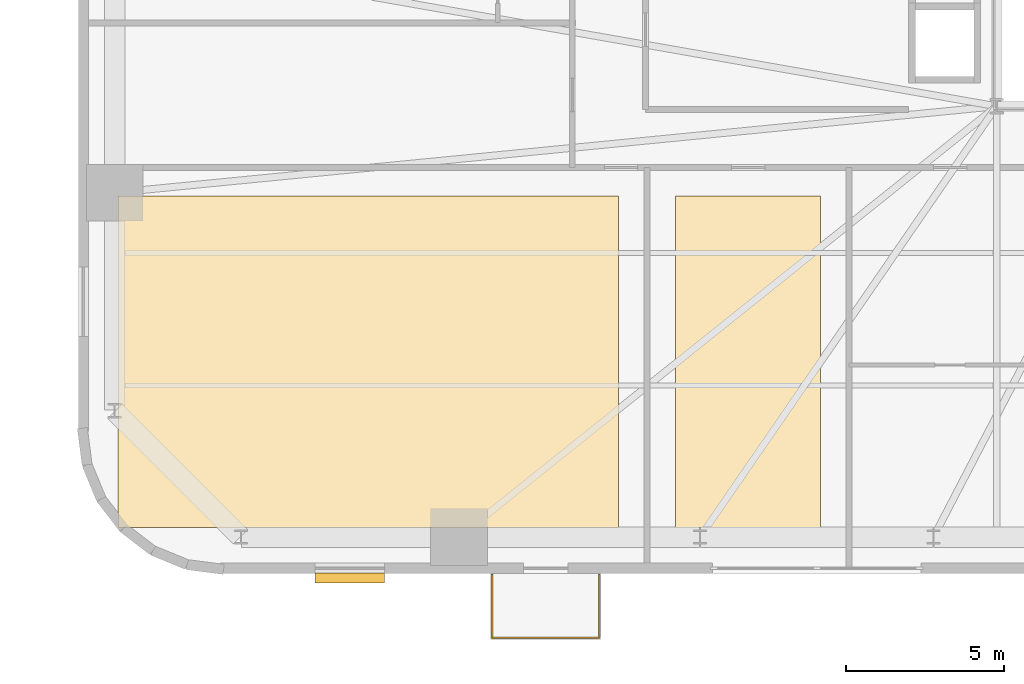
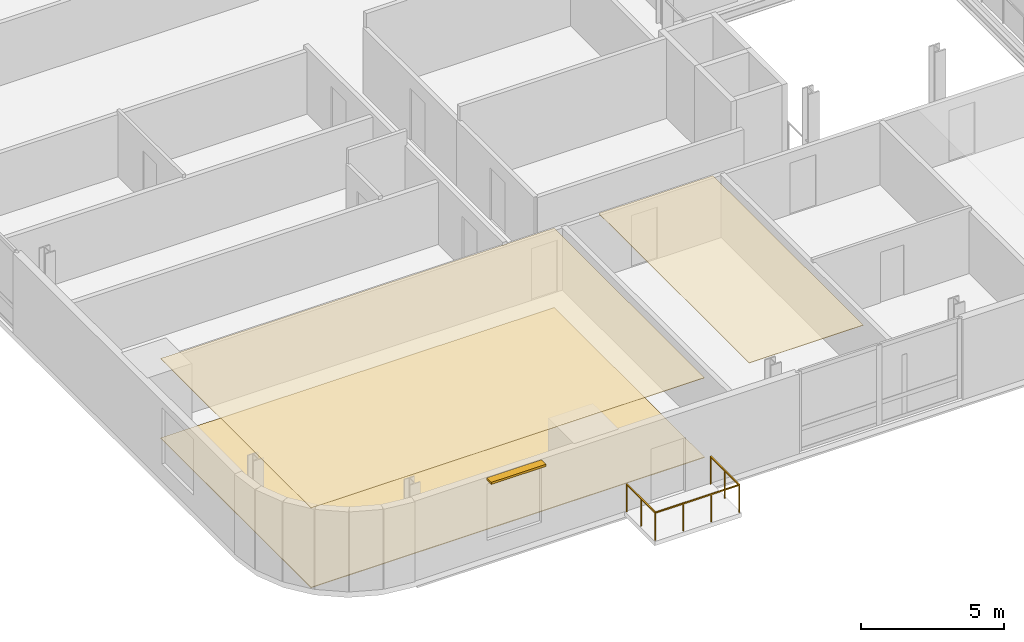
# One storey, part 10 of 13: 3 coverings, 1 railing, 1 shading device.
"""IFC4 building model written with IfcOpenShell, lengths in metres."""

from ifc_helpers import new_model, si_unit, direction, frame, origin, origin_2d, place, context, subcontext, project, spatial, polyline, rectangle, outline, extrude, source, transform, mapped, material, layer, layer_set, type_object, element, save


model = new_model("IFC4")

# Units and contexts
model_context = context("Model", 3, precision=1e-05, world=origin(), true_north=direction((0.0, 1.0)))
body_context = subcontext(model_context, "Body", "Model", "MODEL_VIEW")
ifc_project = project(units=[si_unit("LENGTHUNIT", "METRE"), si_unit("AREAUNIT", "SQUARE_METRE"), si_unit("VOLUMEUNIT", "CUBIC_METRE"), si_unit("PLANEANGLEUNIT", "RADIAN"), si_unit("MASSUNIT", "GRAM", prefix="KILO")], contexts=[model_context])

# Site, building, storey
site_placement = place(None, origin())
site = spatial("IfcSite", under=ifc_project, at=site_placement, CompositionType="ELEMENT")
building_placement = place(site_placement, origin())
building = spatial("IfcBuilding", under=site, at=building_placement, Name="Vardaveli Station Tower", CompositionType="ELEMENT")
storey_placement = place(building_placement, frame((0.0, 0.0, 31.25)))
storey = spatial("IfcBuildingStorey", under=building, at=storey_placement, Name="L07", CompositionType="ELEMENT", Elevation=31.25)

# Coverings
ifc_material_1 = material(Name="Perforated acoustic mineral ceiling")
ifc_layer_1 = layer(ifc_material_1, 0.02001953125, Name="Perforated acoustic mineral ceiling")
ifc_layer_set_1 = layer_set([ifc_layer_1], Name="Perforated acoustic mineral ceiling")
covering_type_1 = type_object("IfcCoveringType", Name="COV-CEIL-AC20", PredefinedType="CEILING", material=ifc_layer_set_1)
covering_1_placement = place(storey_placement, frame((0.0, 0.0, 3.39501953125)))
element("IfcCovering", 1, at=covering_1_placement, inside=storey, type_object=covering_type_1, Name="CEIL-L07-1", PredefinedType="CEILING", context=body_context, shape_type="SweptSolid", body=[
    extrude(outline(polyline([(3.35009765625, 3.25), (19.219970703125, 3.25), (19.219970703125, 13.760009765625), (3.35009765625, 13.760009765625), (3.35009765625, 3.25)])), origin(), (0.0, 0.0, 1.0), 0.02001953125),
])
covering_2_placement = place(storey_placement, frame((0.0, 0.0, 3.39501953125)))
element("IfcCovering", 2, at=covering_2_placement, inside=storey, type_object=covering_type_1, Name="CEIL-L07-2", PredefinedType="CEILING", context=body_context, shape_type="SweptSolid", body=[
    extrude(outline(polyline([(21.02001953125, 3.25), (25.623291015625, 3.25), (25.623291015625, 13.760009765625), (21.02001953125, 13.760009765625), (21.02001953125, 3.25)])), origin(), (0.0, 0.0, 1.0), 0.02001953125),
])
ifc_material_2 = material(Name="Honed Caucasian basalt and travertine flooring", Category="masonry")
ifc_layer_2 = layer(ifc_material_2, 0.030029296875, Name="Honed Caucasian basalt and travertine flooring")
ifc_layer_set_2 = layer_set([ifc_layer_2], Name="Honed Caucasian basalt and travertine flooring")
covering_type_2 = type_object("IfcCoveringType", Name="COV-FLOOR-ST30", PredefinedType="FLOORING", material=ifc_layer_set_2)
covering_3_placement = place(storey_placement, origin())
element("IfcCovering", 3, at=covering_3_placement, inside=storey, type_object=covering_type_2, Name="FLR-L07-1", PredefinedType="FLOORING", context=body_context, shape_type="SweptSolid", body=[
    extrude(outline(polyline([(3.35009765625, 3.25), (19.219970703125, 3.25), (19.219970703125, 13.760009765625), (3.35009765625, 13.760009765625), (3.35009765625, 3.25)])), origin(), (0.0, 0.0, 1.0), 0.030029296875),
])

# Railing
ifc_material_3 = material(Name="Laminated glass and stainless steel balustrade", Category="steel")
railing_type = type_object("IfcRailingType", Name="RL-BAL-1200", PredefinedType="BALUSTRADE", material=ifc_material_3)
shared_shape_1 = source(origin(), body_context, "Body", "SweptSolid", [
    extrude(rectangle(XDim=0.048095703125, YDim=0.048095703125, at=origin_2d()), frame((0.0, 0.0, 1.17578125), z_axis=(0.0, -1.0, 0.0), x_axis=(1.0, 0.0, 0.0)), (0.0, 0.0, 1.0), 2.0),
    extrude(rectangle(XDim=0.048095703125, YDim=0.048095703125, at=origin_2d()), frame((0.0, -2.0, 1.17578125), z_axis=(1.0, 0.0, 0.0), x_axis=(0.0, 1.0, 0.0)), (0.0, 0.0, 1.0), 3.3798828125),
    extrude(rectangle(XDim=0.048095703125, YDim=0.048095703125, at=origin_2d()), frame((3.3798828125, -2.0, 1.17578125), z_axis=(0.0, 1.0, 0.0), x_axis=(-1.0, 0.0, 0.0)), (0.0, 0.0, 1.0), 2.0),
    extrude(rectangle(XDim=0.0419921875, YDim=0.0419921875, at=origin_2d()), origin(), (0.0, 0.0, 1.0), 1.15185546875),
    extrude(rectangle(XDim=0.0419921875, YDim=0.0419921875, at=origin_2d()), frame((0.0, -1.0, 0.0)), (0.0, 0.0, 1.0), 1.15185546875),
    extrude(rectangle(XDim=0.0419921875, YDim=0.0419921875, at=origin_2d()), frame((0.0, -2.0, 0.0)), (0.0, 0.0, 1.0), 1.15185546875),
    extrude(rectangle(XDim=0.0419921875, YDim=0.0419921875, at=origin_2d()), frame((1.126708984375, -2.0, 0.0)), (0.0, 0.0, 1.0), 1.15185546875),
    extrude(rectangle(XDim=0.0419921875, YDim=0.0419921875, at=origin_2d()), frame((2.253173828125, -2.0, 0.0)), (0.0, 0.0, 1.0), 1.15185546875),
    extrude(rectangle(XDim=0.0419921875, YDim=0.0419921875, at=origin_2d()), frame((3.3798828125, -2.0, 0.0)), (0.0, 0.0, 1.0), 1.15185546875),
    extrude(rectangle(XDim=0.0419921875, YDim=0.0419921875, at=origin_2d()), frame((3.3798828125, -1.0, 0.0)), (0.0, 0.0, 1.0), 1.15185546875),
    extrude(rectangle(XDim=0.0419921875, YDim=0.0419921875, at=origin_2d()), frame((3.3798828125, 0.0, 0.0)), (0.0, 0.0, 1.0), 1.15185546875),
])
railing_placement = place(storey_placement, frame((15.220458984375, 1.760009765625, 0.0)))
element("IfcRailing", 4, at=railing_placement, inside=storey, type_object=railing_type, Name="RL-LOG-L07-01", PredefinedType="BALUSTRADE", context=body_context, shape_type="MappedRepresentation", body=[
    mapped(shared_shape_1, transform((0.0, 0.0, 0.0), scale=1.0)),
])

# Shading device
ifc_material_4 = material(Name="Anodised champagne aluminium sunshade", Category="aluminium")
ifc_layer_3 = layer(ifc_material_4, 0.090087890625, Name="Anodised champagne aluminium sunshade")
ifc_layer_set_3 = layer_set([ifc_layer_3], Name="Anodised champagne aluminium sunshade")
shading_device_type = type_object("IfcShadingDeviceType", Name="SHD-SUNSHADE", PredefinedType="USERDEFINED", material=ifc_layer_set_3)
shared_shape_2 = source(origin(), body_context, "Body", "SweptSolid", [
    extrude(rectangle(XDim=2.199951171875, YDim=0.320068359375, at=origin_2d()), origin(), (0.0, 0.0, 1.0), 0.090087890625),
])
shading_device_placement = place(storey_placement, frame((10.705078125, 1.655029296875, 3.2900390625), z_axis=(0.0, 0.0, 1.0), x_axis=(1.0, 0.0, 0.0)))
element("IfcShadingDevice", 5, at=shading_device_placement, inside=storey, type_object=shading_device_type, Name="SHD-SS-L07-S", ObjectType="SUNSHADE", PredefinedType="USERDEFINED", context=body_context, shape_type="MappedRepresentation", body=[
    mapped(shared_shape_2, transform((0.0, 0.0, 0.0), scale=1.0)),
])

save(model, "model.ifc")
